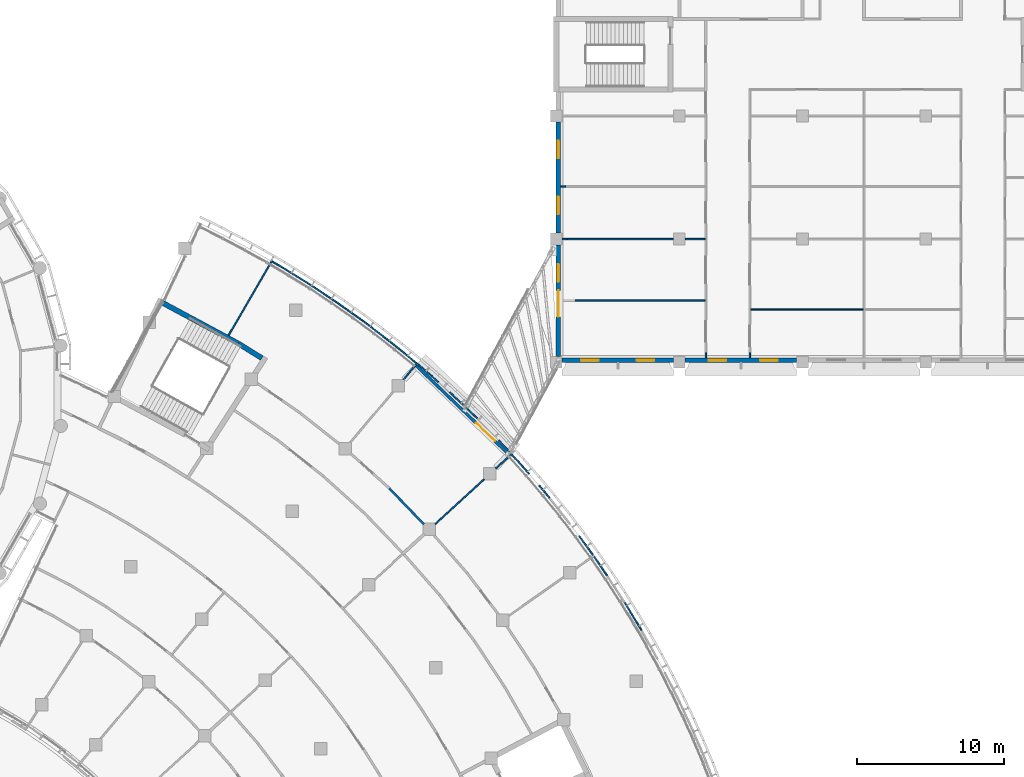
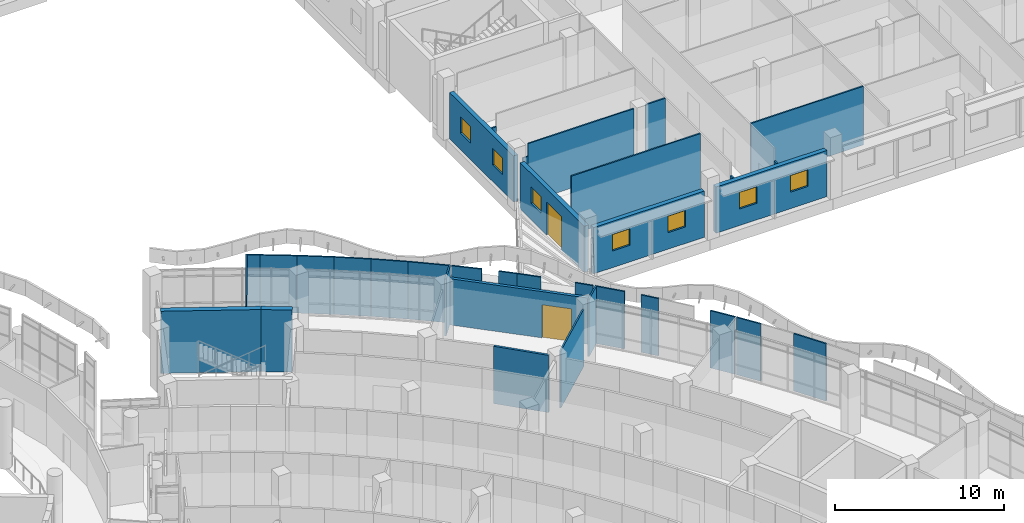
# One storey, part 80 of 136: 35 walls, 7 windows, 2 doors, 9 openings.
"""IFC4 building model written with IfcOpenShell, lengths in metres."""

import ifcopenshell
import ifcopenshell.guid

model = None  # the IFC model being written
_history = None  # IfcOwnerHistory: only IFC2X3 demands one
_inside = {}  # id of a spatial element -> (the spatial element, [elements in it])
_under = {}  # id of a project, library or spatial element -> (it, [spatial elements below it])
_declared = {}  # id of a project -> (the project, [libraries it declares])
_typed = {}  # id of a type object -> (the type object, [elements of that type])
_made_of = {}  # id of a material, layer set ... -> (it, [elements and type objects made of it])


def new_model(schema):
    """Start an empty IFC model of exactly this schema.

    Asked for "IFC4X3", IfcOpenShell would pick the latest addendum, in which some entities
    have other attributes; the version numbers below select the first issue.
    IFC2X3 requires an IfcOwnerHistory on every rooted entity: one is made here for all.
    """
    global model, _history
    if schema == "IFC4X3":
        model = ifcopenshell.file(schema_version=(4, 3, 0, 0))
    else:
        model = ifcopenshell.file(schema=schema)
    _inside.clear()
    _under.clear()
    _declared.clear()
    _typed.clear()
    _made_of.clear()
    _history = None
    if model.schema == "IFC2X3":
        org = make("IfcOrganization", Name="unknown")
        user = make(
            "IfcPersonAndOrganization",
            ThePerson=make("IfcPerson", FamilyName="unknown"),
            TheOrganization=org,
        )
        app = make(
            "IfcApplication",
            ApplicationDeveloper=org,
            Version="unknown",
            ApplicationFullName="unknown",
            ApplicationIdentifier="unknown",
        )
        _history = make(
            "IfcOwnerHistory",
            OwningUser=user,
            OwningApplication=app,
            ChangeAction="ADDED",
            CreationDate=0,
        )
    return model


def make(cls, **values):
    """One entity of the class cls with the attributes given. An attribute that is None is left unset."""
    return model.create_entity(
        cls, **{name: value for name, value in values.items() if value is not None}
    )


def rooted(cls, **values):
    """An entity with a GlobalId (a new one), such as an element, a storey or a relation."""
    return make(cls, GlobalId=ifcopenshell.guid.new(), OwnerHistory=_history, **values)


def si_unit(unit_type, name, prefix=None):
    """IfcSIUnit, for example si_unit("LENGTHUNIT", "METRE", prefix="MILLI")."""
    return make("IfcSIUnit", UnitType=unit_type, Prefix=prefix, Name=name)


def assignment(units):
    """IfcUnitAssignment: the units of a project."""
    return None if units is None else make("IfcUnitAssignment", Units=units)


def point(xyz):
    """IfcCartesianPoint."""
    return None if xyz is None else make("IfcCartesianPoint", Coordinates=xyz)


def direction(xyz):
    """IfcDirection."""
    return None if xyz is None else make("IfcDirection", DirectionRatios=xyz)


def frame(location, z_axis=None, x_axis=None):
    """IfcAxis2Placement3D, a coordinate frame: its origin and axes. An axis left out is left unset."""
    return make(
        "IfcAxis2Placement3D",
        Location=point(location),
        Axis=direction(z_axis),
        RefDirection=direction(x_axis),
    )


def frame_2d(location, x_axis=None):
    """IfcAxis2Placement2D, a coordinate frame in the plane: its origin and x axis."""
    return make(
        "IfcAxis2Placement2D", Location=point(location), RefDirection=direction(x_axis)
    )


def origin():
    """The frame at (0, 0, 0) with its axes left unset."""
    return frame((0.0, 0.0, 0.0))


def place(relative_to, where):
    """IfcLocalPlacement: puts the frame where relative to a parent placement (None: the world)."""
    return make(
        "IfcLocalPlacement", PlacementRelTo=relative_to, RelativePlacement=where
    )


def context(
    kind, dimensions, precision=None, world=None, true_north=None, identifier=None
):
    """IfcGeometricRepresentationContext, for example the 3D "Model" context."""
    return make(
        "IfcGeometricRepresentationContext",
        ContextIdentifier=identifier,
        ContextType=kind,
        CoordinateSpaceDimension=dimensions,
        Precision=precision,
        WorldCoordinateSystem=world,
        TrueNorth=true_north,
    )


def subcontext(parent, identifier, kind, view, scale=None):
    """IfcGeometricRepresentationSubContext, for example "Body" below "Model"."""
    return make(
        "IfcGeometricRepresentationSubContext",
        ContextIdentifier=identifier,
        ContextType=kind,
        ParentContext=parent,
        TargetScale=scale,
        TargetView=view,
    )


def project(units=None, contexts=None):
    """IfcProject with its units and contexts."""
    return rooted(
        "IfcProject",
        Name="project",
        RepresentationContexts=contexts,
        UnitsInContext=assignment(units),
    )


def spatial(cls, under=None, at=None, **own):
    """A site, building, storey or space (cls), placed at a placement, below another one or the project."""
    s = rooted(cls, ObjectPlacement=at, **own)
    if under is not None:
        _under.setdefault(under.id(), (under, []))[1].append(s)
    return s


def profile(cls, at=None, kind="AREA", **sizes):
    """A parametric profile (cls). Its sizes go by their IFC names, for example OverallWidth=200.0."""
    return make(cls, ProfileType=kind, Position=at, **sizes)


def rectangle(**sizes):
    """IfcRectangleProfileDef."""
    return profile("IfcRectangleProfileDef", **sizes)


def extrude(swept, where, along, depth):
    """IfcExtrudedAreaSolid: the profile swept, set in the frame where, extruded along a direction by depth."""
    return make(
        "IfcExtrudedAreaSolid",
        SweptArea=swept,
        Position=where,
        ExtrudedDirection=direction(along),
        Depth=depth,
    )


def shape(context_of_items, identifier, shape_type, items):
    """IfcShapeRepresentation: the items that make up one representation, for example the "Body"."""
    return make(
        "IfcShapeRepresentation",
        ContextOfItems=context_of_items,
        RepresentationIdentifier=identifier,
        RepresentationType=shape_type,
        Items=items,
    )


def material(Name=None, Category=None):
    """IfcMaterial."""
    return make("IfcMaterial", Name=Name, Category=Category)


def layer(
    of_material, thickness, ventilated=None, Name=None, Category=None, Priority=None
):
    """IfcMaterialLayer: one layer of a wall or slab, of a material (None: an air gap)."""
    return make(
        "IfcMaterialLayer",
        Material=of_material,
        LayerThickness=thickness,
        IsVentilated=ventilated,
        Name=Name,
        Category=Category,
        Priority=Priority,
    )


def layer_set(layers, Name=None):
    """IfcMaterialLayerSet."""
    return make("IfcMaterialLayerSet", MaterialLayers=layers, LayerSetName=Name)


def made_of(thing, what):
    """Note that an element or type object is made of a material, layer set ...; save() writes the relation."""
    if what is not None:
        _made_of.setdefault(what.id(), (what, []))[1].append(thing)
    return thing


def type_object(cls, material=None, **own):
    """A type object (cls), such as IfcWallType, which elements share."""
    return made_of(rooted(cls, **own), material)


def element(
    cls,
    number,
    at=None,
    inside=None,
    cuts=None,
    type_object=None,
    material=None,
    context=None,
    identifier="Body",
    shape_type=None,
    held_by="IfcProductDefinitionShape",
    body=None,
    shapes=None,
    **own,
):
    """One element of the class cls, such as IfcWall. Its Tag is "e" and its number.

    at: its placement. inside: the storey or other place that contains it. cuts: it is an
    opening in that element (IfcRelVoidsElement). A single representation is given by context,
    identifier, shape_type and body (its items); several are given by shapes. held_by: the class
    of the entity that holds the representations. save() writes the other relations.
    """
    e = rooted(cls, Tag="e%d" % number, ObjectPlacement=at, **own)
    if body is not None:
        shapes = [shape(context, identifier, shape_type, body)]
    if shapes is not None:
        e.Representation = make(held_by, Representations=shapes)
    if inside is not None:
        _inside.setdefault(inside.id(), (inside, []))[1].append(e)
    if cuts is not None:
        rooted(
            "IfcRelVoidsElement", RelatingBuildingElement=cuts, RelatedOpeningElement=e
        )
    if type_object is not None:
        _typed.setdefault(type_object.id(), (type_object, []))[1].append(e)
    return made_of(e, material)


def fill(opening, filler):
    """IfcRelFillsElement: the door or window that sits in an opening."""
    return rooted(
        "IfcRelFillsElement",
        RelatingOpeningElement=opening,
        RelatedBuildingElement=filler,
    )


def aggregate(whole, parts):
    """IfcRelAggregates: a whole, such as a stair, and the parts it consists of."""
    return rooted("IfcRelAggregates", RelatingObject=whole, RelatedObjects=parts)


def save(model, path):
    """Write the relations noted so far, then the file.

    IfcRelAggregates (storeys below a building ...), IfcRelContainedInSpatialStructure (elements
    in a storey), IfcRelDefinesByType, IfcRelAssociatesMaterial and IfcRelDeclares: one each for
    every whole, place, type object, material and project.
    """
    for whole, parts in _under.values():
        aggregate(whole, parts)
    for where, things in _inside.values():
        rooted(
            "IfcRelContainedInSpatialStructure",
            RelatedElements=things,
            RelatingStructure=where,
        )
    for kind, things in _typed.values():
        rooted("IfcRelDefinesByType", RelatedObjects=things, RelatingType=kind)
    for what, things in _made_of.values():
        rooted("IfcRelAssociatesMaterial", RelatedObjects=things, RelatingMaterial=what)
    for by, libraries in _declared.values():
        rooted("IfcRelDeclares", RelatingContext=by, RelatedDefinitions=libraries)
    model.write(path)


model = new_model("IFC4")

# Units and contexts
model_context = context("Model", 3, precision=1e-05, world=origin(), true_north=direction((0.0, 1.0)))
body_context = subcontext(model_context, "Body", "Model", "MODEL_VIEW")
ifc_project = project(units=[si_unit("LENGTHUNIT", "METRE"), si_unit("AREAUNIT", "SQUARE_METRE"), si_unit("VOLUMEUNIT", "CUBIC_METRE"), si_unit("PLANEANGLEUNIT", "RADIAN"), si_unit("MASSUNIT", "GRAM", prefix="KILO")], contexts=[model_context])

# Site, building, storey
site_placement = place(None, origin())
site = spatial("IfcSite", under=ifc_project, at=site_placement, CompositionType="ELEMENT")
building_placement = place(site_placement, origin())
building = spatial("IfcBuilding", under=site, at=building_placement, Name="Bougainvillea Quay General Hospital", CompositionType="ELEMENT")
storey_placement = place(building_placement, frame((0.0, 0.0, 5.39990234375)))
storey = spatial("IfcBuildingStorey", under=building, at=storey_placement, Name="L01", CompositionType="ELEMENT", Elevation=5.39990234375)

# Wall, opening, door
ifc_material_1 = material(Name="Insulated aluminium panel cladding, anodised silver", Category="aluminium")
ifc_layer_1 = layer(ifc_material_1, 0.199951171875)
ifc_layer_set_1 = layer_set([ifc_layer_1], Name="Insulated aluminium panel cladding, anodised silver")
wall_type_1 = type_object("IfcWallType", Name="Entrance portal wall 200", PredefinedType="STANDARD", material=ifc_layer_set_1)
wall_1_placement = place(storey_placement, frame((154.218994140625, 75.406982421875, 0.0), z_axis=(0.0, 0.0, 1.0), x_axis=(0.722012767273, -0.691879732248, 0.0)))
wall_1 = element("IfcWall", 1, at=wall_1_placement, inside=storey, type_object=wall_type_1, Name="External wall wall/V6/L01/p2g3b2/00a", PredefinedType="STANDARD", context=body_context, shape_type="SweptSolid", body=[
    extrude(rectangle(XDim=8.89599609375, YDim=0.199951171875, at=frame_2d((4.447998046875, 0.0))), origin(), (0.0, 0.0, 1.0), 3.35009765625),
])
opening_1_placement = place(wall_1_placement, frame((5.68505859375, 0.0, 0.0)))
opening_1 = element("IfcOpeningElement", 2, at=opening_1_placement, cuts=wall_1, Name="Opening L01.332", PredefinedType="OPENING", context=body_context, shape_type="SweptSolid", body=[
    extrude(rectangle(XDim=1.800048828125, YDim=2.39990234375, at=frame_2d((0.89990234375, 1.199951171875))), frame((0.0, 0.10986328125, 0.0), z_axis=(0.0, -1.0, 0.0), x_axis=(1.0, 0.0, 0.0)), (0.0, 0.0, 1.0), 0.219970703125),
])
ifc_material_2 = material(Name="Aluminium and glass door set", Category="aluminium")
door_type = type_object("IfcDoorType", Name="Link bridge door 1800x2400", OperationType="DOUBLE_DOOR_SINGLE_SWING", PredefinedType="DOOR", material=ifc_material_2)
door_1_placement = place(opening_1_placement, origin())
door_1 = element("IfcDoor", 3, at=door_1_placement, inside=storey, type_object=door_type, Name="Link bridge door B3", OperationType="SINGLE_SWING_LEFT", OverallHeight=2.39990234375, OverallWidth=1.800048828125, PredefinedType="DOOR", context=body_context, shape_type="SweptSolid", body=[
    extrude(rectangle(XDim=1.800048828125, YDim=2.39990234375, at=frame_2d((0.89990234375, 1.199951171875))), frame((0.0, 0.02490234375, 0.0), z_axis=(0.0, -1.0, 0.0), x_axis=(1.0, 0.0, 0.0)), (0.0, 0.0, 1.0), 0.050048828125),
])
fill(opening_1, door_1)

# Wall, openings, windows
ifc_material_3 = material(Name="Pale stone rainscreen cladding on insulated masonry backing, pale stone", Category="masonry")
ifc_layer_2 = layer(ifc_material_3, 0.300048828125)
ifc_layer_set_2 = layer_set([ifc_layer_2], Name="Pale stone rainscreen cladding on insulated masonry backing, pale stone")
wall_type_2 = type_object("IfcWallType", Name="External wall pale stone rainscreen 300", PredefinedType="STANDARD", material=ifc_layer_set_2)
wall_2_placement = place(storey_placement, frame((163.949951171875, 92.0, 0.0), z_axis=(0.0, 0.0, 1.0), x_axis=(0.0, -1.0, 0.0)))
wall_2 = element("IfcWall", 4, at=wall_2_placement, inside=storey, type_object=wall_type_2, Name="External wall wall/V3/L01/p0/00e", PredefinedType="STANDARD", context=body_context, shape_type="SweptSolid", body=[
    extrude(rectangle(XDim=7.60009765625, YDim=0.300048828125, at=frame_2d((3.800048828125, 0.0))), origin(), (0.0, 0.0, 1.0), 3.35009765625),
])
opening_2_placement = place(wall_2_placement, frame((1.300048828125, 0.0, 1.199951171875)))
opening_2 = element("IfcOpeningElement", 5, at=opening_2_placement, cuts=wall_2, Name="Opening W2", PredefinedType="OPENING", context=body_context, shape_type="SweptSolid", body=[
    extrude(rectangle(XDim=1.199951171875, YDim=1.199951171875, at=frame_2d((0.60009765625, 0.60009765625))), frame((0.0, 0.159912109375, 0.0), z_axis=(0.0, -1.0, 0.0), x_axis=(1.0, 0.0, 0.0)), (0.0, 0.0, 1.0), 0.320068359375),
])
opening_3_placement = place(wall_2_placement, frame((5.10009765625, 0.0, 1.199951171875)))
opening_3 = element("IfcOpeningElement", 6, at=opening_3_placement, cuts=wall_2, Name="Opening W2", PredefinedType="OPENING", context=body_context, shape_type="SweptSolid", body=[
    extrude(rectangle(XDim=1.199951171875, YDim=1.199951171875, at=frame_2d((0.60009765625, 0.60009765625))), frame((0.0, 0.159912109375, 0.0), z_axis=(0.0, -1.0, 0.0), x_axis=(1.0, 0.0, 0.0)), (0.0, 0.0, 1.0), 0.320068359375),
])
ifc_material_4 = material(Name="Aluminium window frame with low-e double glazed unit", Category="aluminium")
window_type = type_object("IfcWindowType", Name="Window W2 1200x1200", PartitioningType="SINGLE_PANEL", PredefinedType="WINDOW", material=ifc_material_4)
window_1_placement = place(opening_2_placement, origin())
window_1 = element("IfcWindow", 7, at=window_1_placement, inside=storey, type_object=window_type, Name="Window W2 1", OverallHeight=1.199951171875, OverallWidth=1.199951171875, PartitioningType="SINGLE_PANEL", PredefinedType="WINDOW", context=body_context, shape_type="SweptSolid", body=[
    extrude(rectangle(XDim=1.199951171875, YDim=1.199951171875, at=frame_2d((0.60009765625, 0.60009765625))), frame((0.0, 0.030029296875, 0.0), z_axis=(0.0, -1.0, 0.0), x_axis=(1.0, 0.0, 0.0)), (0.0, 0.0, 1.0), 0.06005859375),
])
fill(opening_2, window_1)
window_2_placement = place(opening_3_placement, origin())
window_2 = element("IfcWindow", 8, at=window_2_placement, inside=storey, type_object=window_type, Name="Window W2 2", OverallHeight=1.199951171875, OverallWidth=1.199951171875, PartitioningType="SINGLE_PANEL", PredefinedType="WINDOW", context=body_context, shape_type="SweptSolid", body=[
    extrude(rectangle(XDim=1.199951171875, YDim=1.199951171875, at=frame_2d((0.60009765625, 0.60009765625))), frame((0.0, 0.030029296875, 0.0), z_axis=(0.0, -1.0, 0.0), x_axis=(1.0, 0.0, 0.0)), (0.0, 0.0, 1.0), 0.06005859375),
])
fill(opening_3, window_2)

# Wall, openings, door, window
wall_3_placement = place(storey_placement, frame((163.949951171875, 83.60009765625, 0.0), z_axis=(0.0, 0.0, 1.0), x_axis=(0.0, -1.0, 0.0)))
wall_3 = element("IfcWall", 9, at=wall_3_placement, inside=storey, type_object=wall_type_2, Name="External wall wall/V3/L01/p0/00f", PredefinedType="STANDARD", context=body_context, shape_type="SweptSolid", body=[
    extrude(rectangle(XDim=7.60009765625, YDim=0.300048828125, at=frame_2d((3.800048828125, 0.0))), origin(), (0.0, 0.0, 1.0), 3.35009765625),
])
opening_4_placement = place(wall_3_placement, frame((3.10009765625, 0.0, 0.0)))
opening_4 = element("IfcOpeningElement", 10, at=opening_4_placement, cuts=wall_3, Name="Opening L01.330", PredefinedType="OPENING", context=body_context, shape_type="SweptSolid", body=[
    extrude(rectangle(XDim=1.800048828125, YDim=2.39990234375, at=frame_2d((0.89990234375, 1.199951171875))), frame((0.0, 0.159912109375, 0.0), z_axis=(0.0, -1.0, 0.0), x_axis=(1.0, 0.0, 0.0)), (0.0, 0.0, 1.0), 0.320068359375),
])
opening_5_placement = place(wall_3_placement, frame((1.300048828125, 0.0, 1.199951171875)))
opening_5 = element("IfcOpeningElement", 11, at=opening_5_placement, cuts=wall_3, Name="Opening W2", PredefinedType="OPENING", context=body_context, shape_type="SweptSolid", body=[
    extrude(rectangle(XDim=1.199951171875, YDim=1.199951171875, at=frame_2d((0.60009765625, 0.60009765625))), frame((0.0, 0.159912109375, 0.0), z_axis=(0.0, -1.0, 0.0), x_axis=(1.0, 0.0, 0.0)), (0.0, 0.0, 1.0), 0.320068359375),
])
door_2_placement = place(opening_4_placement, origin())
door_2 = element("IfcDoor", 12, at=door_2_placement, inside=storey, type_object=door_type, Name="Link bridge door B3", OperationType="SINGLE_SWING_LEFT", OverallHeight=2.39990234375, OverallWidth=1.800048828125, PredefinedType="DOOR", context=body_context, shape_type="SweptSolid", body=[
    extrude(rectangle(XDim=1.800048828125, YDim=2.39990234375, at=frame_2d((0.89990234375, 1.199951171875))), frame((0.0, 0.02490234375, 0.0), z_axis=(0.0, -1.0, 0.0), x_axis=(1.0, 0.0, 0.0)), (0.0, 0.0, 1.0), 0.050048828125),
])
fill(opening_4, door_2)
window_3_placement = place(opening_5_placement, origin())
window_3 = element("IfcWindow", 13, at=window_3_placement, inside=storey, type_object=window_type, Name="Window W2 1", OverallHeight=1.199951171875, OverallWidth=1.199951171875, PartitioningType="SINGLE_PANEL", PredefinedType="WINDOW", context=body_context, shape_type="SweptSolid", body=[
    extrude(rectangle(XDim=1.199951171875, YDim=1.199951171875, at=frame_2d((0.60009765625, 0.60009765625))), frame((0.0, 0.030029296875, 0.0), z_axis=(0.0, -1.0, 0.0), x_axis=(1.0, 0.0, 0.0)), (0.0, 0.0, 1.0), 0.06005859375),
])
fill(opening_5, window_3)

# Wall, openings, windows
wall_4_placement = place(storey_placement, frame((164.199951171875, 75.75, 0.0), z_axis=(0.0, 0.0, 1.0), x_axis=(1.0, 0.0, 0.0)))
wall_4 = element("IfcWall", 14, at=wall_4_placement, inside=storey, type_object=wall_type_2, Name="External wall wall/V3/L01/p0/01a", PredefinedType="STANDARD", context=body_context, shape_type="SweptSolid", body=[
    extrude(rectangle(XDim=7.60009765625, YDim=0.300048828125, at=frame_2d((3.800048828125, 0.0))), origin(), (0.0, 0.0, 1.0), 3.35009765625),
])
opening_6_placement = place(wall_4_placement, frame((1.300048828125, 0.0, 1.199951171875)))
opening_6 = element("IfcOpeningElement", 15, at=opening_6_placement, cuts=wall_4, Name="Opening W2", PredefinedType="OPENING", context=body_context, shape_type="SweptSolid", body=[
    extrude(rectangle(XDim=1.199951171875, YDim=1.199951171875, at=frame_2d((0.60009765625, 0.60009765625))), frame((0.0, 0.159912109375, 0.0), z_axis=(0.0, -1.0, 0.0), x_axis=(1.0, 0.0, 0.0)), (0.0, 0.0, 1.0), 0.320068359375),
])
opening_7_placement = place(wall_4_placement, frame((5.10009765625, 0.0, 1.199951171875)))
opening_7 = element("IfcOpeningElement", 16, at=opening_7_placement, cuts=wall_4, Name="Opening W2", PredefinedType="OPENING", context=body_context, shape_type="SweptSolid", body=[
    extrude(rectangle(XDim=1.199951171875, YDim=1.199951171875, at=frame_2d((0.60009765625, 0.60009765625))), frame((0.0, 0.159912109375, 0.0), z_axis=(0.0, -1.0, 0.0), x_axis=(1.0, 0.0, 0.0)), (0.0, 0.0, 1.0), 0.320068359375),
])
window_4_placement = place(opening_6_placement, origin())
window_4 = element("IfcWindow", 17, at=window_4_placement, inside=storey, type_object=window_type, Name="Window W2 1", OverallHeight=1.199951171875, OverallWidth=1.199951171875, PartitioningType="SINGLE_PANEL", PredefinedType="WINDOW", context=body_context, shape_type="SweptSolid", body=[
    extrude(rectangle(XDim=1.199951171875, YDim=1.199951171875, at=frame_2d((0.60009765625, 0.60009765625))), frame((0.0, 0.030029296875, 0.0), z_axis=(0.0, -1.0, 0.0), x_axis=(1.0, 0.0, 0.0)), (0.0, 0.0, 1.0), 0.06005859375),
])
fill(opening_6, window_4)
window_5_placement = place(opening_7_placement, origin())
window_5 = element("IfcWindow", 18, at=window_5_placement, inside=storey, type_object=window_type, Name="Window W2 2", OverallHeight=1.199951171875, OverallWidth=1.199951171875, PartitioningType="SINGLE_PANEL", PredefinedType="WINDOW", context=body_context, shape_type="SweptSolid", body=[
    extrude(rectangle(XDim=1.199951171875, YDim=1.199951171875, at=frame_2d((0.60009765625, 0.60009765625))), frame((0.0, 0.030029296875, 0.0), z_axis=(0.0, -1.0, 0.0), x_axis=(1.0, 0.0, 0.0)), (0.0, 0.0, 1.0), 0.06005859375),
])
fill(opening_7, window_5)

wall_5_placement = place(storey_placement, frame((172.60009765625, 75.75, 0.0), z_axis=(0.0, 0.0, 1.0), x_axis=(1.0, 0.0, 0.0)))
wall_5 = element("IfcWall", 19, at=wall_5_placement, inside=storey, type_object=wall_type_2, Name="External wall wall/V3/L01/p0/01b", PredefinedType="STANDARD", context=body_context, shape_type="SweptSolid", body=[
    extrude(rectangle(XDim=7.599853515625, YDim=0.300048828125, at=frame_2d((3.7998046875, 0.0))), origin(), (0.0, 0.0, 1.0), 3.35009765625),
])
opening_8_placement = place(wall_5_placement, frame((1.60009765625, 0.0, 1.199951171875)))
opening_8 = element("IfcOpeningElement", 20, at=opening_8_placement, cuts=wall_5, Name="Opening W2", PredefinedType="OPENING", context=body_context, shape_type="SweptSolid", body=[
    extrude(rectangle(XDim=1.199951171875, YDim=1.199951171875, at=frame_2d((0.60009765625, 0.60009765625))), frame((0.0, 0.159912109375, 0.0), z_axis=(0.0, -1.0, 0.0), x_axis=(1.0, 0.0, 0.0)), (0.0, 0.0, 1.0), 0.320068359375),
])
opening_9_placement = place(wall_5_placement, frame((5.10009765625, 0.0, 1.199951171875)))
opening_9 = element("IfcOpeningElement", 21, at=opening_9_placement, cuts=wall_5, Name="Opening W2", PredefinedType="OPENING", context=body_context, shape_type="SweptSolid", body=[
    extrude(rectangle(XDim=1.199951171875, YDim=1.199951171875, at=frame_2d((0.60009765625, 0.60009765625))), frame((0.0, 0.159912109375, 0.0), z_axis=(0.0, -1.0, 0.0), x_axis=(1.0, 0.0, 0.0)), (0.0, 0.0, 1.0), 0.320068359375),
])
window_6_placement = place(opening_8_placement, origin())
window_6 = element("IfcWindow", 22, at=window_6_placement, inside=storey, type_object=window_type, Name="Window W2 1", OverallHeight=1.199951171875, OverallWidth=1.199951171875, PartitioningType="SINGLE_PANEL", PredefinedType="WINDOW", context=body_context, shape_type="SweptSolid", body=[
    extrude(rectangle(XDim=1.199951171875, YDim=1.199951171875, at=frame_2d((0.60009765625, 0.60009765625))), frame((0.0, 0.030029296875, 0.0), z_axis=(0.0, -1.0, 0.0), x_axis=(1.0, 0.0, 0.0)), (0.0, 0.0, 1.0), 0.06005859375),
])
fill(opening_8, window_6)
window_7_placement = place(opening_9_placement, origin())
window_7 = element("IfcWindow", 23, at=window_7_placement, inside=storey, type_object=window_type, Name="Window W2 2", OverallHeight=1.199951171875, OverallWidth=1.199951171875, PartitioningType="SINGLE_PANEL", PredefinedType="WINDOW", context=body_context, shape_type="SweptSolid", body=[
    extrude(rectangle(XDim=1.199951171875, YDim=1.199951171875, at=frame_2d((0.60009765625, 0.60009765625))), frame((0.0, 0.030029296875, 0.0), z_axis=(0.0, -1.0, 0.0), x_axis=(1.0, 0.0, 0.0)), (0.0, 0.0, 1.0), 0.06005859375),
])
fill(opening_9, window_7)

# Walls
ifc_material_5 = material(Name="Gypsum board partition on steel studs", Category="steel")
ifc_layer_3 = layer(ifc_material_5, 0.10009765625)
ifc_layer_set_3 = layer_set([ifc_layer_3], Name="Gypsum board partition on steel studs")
wall_type_3 = type_object("IfcWallType", Name="Partition 100 Gypsum board partition", PredefinedType="PARTITIONING", material=ifc_layer_set_3)
for number, where, z_axis, x_axis, name in (
    (24, (174.0, 76.25, 0.0), (0.0, 0.0, 1.0), (0.0, -1.0, 0.0), "Partition 100 mm"),
    (25, (177.0, 76.25, 0.0), (0.0, 0.0, 1.0), (0.0, -1.0, 0.0), "Partition 100 mm"),
):
    element("IfcWall", number, at=place(storey_placement, frame(where, z_axis=z_axis, x_axis=x_axis)), inside=storey, type_object=wall_type_3, Name=name, PredefinedType="PARTITIONING", context=body_context, shape_type="SweptSolid", body=[
        extrude(rectangle(XDim=0.35009765625, YDim=0.10009765625, at=frame_2d((0.175048828125, 0.0))), origin(), (0.0, 0.0, 1.0), 3.330078125),
    ])
wall_6_placement = place(storey_placement, frame((177.050048828125, 79.199951171875, 0.0), z_axis=(0.0, 0.0, 1.0), x_axis=(1.0, 0.0, 0.0)))
element("IfcWall", 26, at=wall_6_placement, inside=storey, type_object=wall_type_3, Name="Partition 100 mm", PredefinedType="PARTITIONING", context=body_context, shape_type="SweptSolid", body=[
    extrude(rectangle(XDim=7.699951171875, YDim=0.10009765625, at=frame_2d((3.85009765625, 0.0))), origin(), (0.0, 0.0, 1.0), 4.25),
])
wall_7_placement = place(storey_placement, frame((165.10009765625, 79.800048828125, 0.0), z_axis=(0.0, 0.0, 1.0), x_axis=(1.0, 0.0, 0.0)))
element("IfcWall", 27, at=wall_7_placement, inside=storey, type_object=wall_type_3, Name="Partition 100 mm", PredefinedType="PARTITIONING", context=body_context, shape_type="SweptSolid", body=[
    extrude(rectangle(XDim=8.849853515625, YDim=0.10009765625, at=frame_2d((4.4248046875, 0.0))), origin(), (0.0, 0.0, 1.0), 4.25),
])
wall_8_placement = place(storey_placement, frame((164.199951171875, 84.0, 0.0), z_axis=(0.0, 0.0, 1.0), x_axis=(1.0, 0.0, 0.0)))
element("IfcWall", 28, at=wall_8_placement, inside=storey, type_object=wall_type_3, Name="Partition 100 mm", PredefinedType="PARTITIONING", context=body_context, shape_type="SweptSolid", body=[
    extrude(rectangle(XDim=0.35009765625, YDim=0.10009765625, at=frame_2d((0.175048828125, 0.0))), origin(), (0.0, 0.0, 1.0), 3.330078125),
])
wall_9_placement = place(storey_placement, frame((164.550048828125, 84.0, 0.0), z_axis=(0.0, 0.0, 1.0), x_axis=(1.0, 0.0, 0.0)))
element("IfcWall", 29, at=wall_9_placement, inside=storey, type_object=wall_type_3, Name="Partition 100 mm", PredefinedType="PARTITIONING", context=body_context, shape_type="SweptSolid", body=[
    extrude(rectangle(XDim=7.25, YDim=0.10009765625, at=frame_2d((3.625, 0.0))), origin(), (0.0, 0.0, 1.0), 4.25),
])
wall_10_placement = place(storey_placement, frame((172.60009765625, 84.0, 0.0), z_axis=(0.0, 0.0, 1.0), x_axis=(1.0, 0.0, 0.0)))
element("IfcWall", 30, at=wall_10_placement, inside=storey, type_object=wall_type_3, Name="Partition 100 mm", PredefinedType="PARTITIONING", context=body_context, shape_type="SweptSolid", body=[
    extrude(rectangle(XDim=1.349853515625, YDim=0.10009765625, at=frame_2d((0.6748046875, 0.0))), origin(), (0.0, 0.0, 1.0), 4.25),
])
wall_11_placement = place(storey_placement, frame((164.10009765625, 87.60009765625, 0.0), z_axis=(0.0, 0.0, 1.0), x_axis=(1.0, 0.0, 0.0)))
element("IfcWall", 31, at=wall_11_placement, inside=storey, type_object=wall_type_3, Name="Partition 100 mm", PredefinedType="PARTITIONING", context=body_context, shape_type="SweptSolid", body=[
    extrude(rectangle(XDim=0.349853515625, YDim=0.10009765625, at=frame_2d((0.1748046875, 0.0))), origin(), (0.0, 0.0, 1.0), 3.330078125),
])
ifc_layer_4 = layer(ifc_material_5, 0.10009765625)
ifc_layer_set_4 = layer_set([ifc_layer_4], Name="Gypsum board partition on steel studs")
wall_type_4 = type_object("IfcWallType", Name="Partition 100 Gypsum board partition EI 30", PredefinedType="PARTITIONING", material=ifc_layer_set_4)
wall_12_placement = place(storey_placement, frame((155.55419921875, 64.572021484375, 0.0), z_axis=(0.0, 0.0, 1.0), x_axis=(0.736575972323, 0.676354815904, 0.0)))
element("IfcWall", 32, at=wall_12_placement, inside=storey, type_object=wall_type_4, Name="Partition 100 mm EI 30", PredefinedType="PARTITIONING", context=body_context, shape_type="SweptSolid", body=[
    extrude(rectangle(XDim=4.5244140625, YDim=0.10009765625, at=frame_2d((2.26220703125, 0.0))), origin(), (0.0, 0.0, 1.0), 4.150146484375),
])
wall_13_placement = place(storey_placement, frame((159.679443359375, 68.35986328125, 0.0), z_axis=(0.0, 0.0, 1.0), x_axis=(0.736561228266, 0.676370872388, 0.0)))
element("IfcWall", 33, at=wall_13_placement, inside=storey, type_object=wall_type_4, Name="Partition 100 mm EI 30", PredefinedType="PARTITIONING", context=body_context, shape_type="SweptSolid", body=[
    extrude(rectangle(XDim=1.5048828125, YDim=0.10009765625, at=frame_2d((0.75244140625, 0.0))), origin(), (0.0, 0.0, 1.0), 4.150146484375),
])
wall_14_placement = place(storey_placement, frame((153.384521484375, 74.426513671875, 0.0), z_axis=(0.0, 0.0, 1.0), x_axis=(0.644470679359, 0.764629023414, 0.0)))
element("IfcWall", 34, at=wall_14_placement, inside=storey, type_object=wall_type_4, Name="Partition 100 mm EI 30", PredefinedType="PARTITIONING", context=body_context, shape_type="SweptSolid", body=[
    extrude(rectangle(XDim=1.481201171875, YDim=0.10009765625, at=frame_2d((0.74072265625, 0.0))), origin(), (0.0, 0.0, 1.0), 4.150146484375),
])
wall_15_placement = place(storey_placement, frame((141.461669921875, 77.4365234375, 0.0), z_axis=(0.0, 0.0, 1.0), x_axis=(0.502954842464, 0.864312690201, 0.0)))
element("IfcWall", 35, at=wall_15_placement, inside=storey, type_object=wall_type_4, Name="Partition 100 mm EI 30", PredefinedType="PARTITIONING", context=body_context, shape_type="SweptSolid", body=[
    extrude(rectangle(XDim=5.900146484375, YDim=0.10009765625, at=frame_2d((2.9501953125, 0.0))), origin(), (0.0, 0.0, 1.0), 4.150146484375),
])
wall_16_placement = place(storey_placement, frame((159.872314453125, 70.26806640625, 0.0), z_axis=(0.0, 0.0, 1.0), x_axis=(0.689035395113, -0.724727689743, 0.0)))
element("IfcWall", 36, at=wall_16_placement, inside=storey, type_object=wall_type_4, Name="Partition 100 mm EI 30", PredefinedType="PARTITIONING", context=body_context, shape_type="SweptSolid", body=[
    extrude(rectangle(XDim=1.121826171875, YDim=0.10009765625, at=frame_2d((0.56103515625, 0.0))), origin(), (0.0, 0.0, 1.0), 4.150146484375),
])
wall_17_placement = place(storey_placement, frame((152.358154296875, 77.109619140625, 0.0), z_axis=(0.0, 0.0, 1.0), x_axis=(0.775073195, -0.63187146034, 0.0)))
element("IfcWall", 37, at=wall_17_placement, inside=storey, type_object=wall_type_4, Name="Partition 100 mm EI 30", PredefinedType="PARTITIONING", context=body_context, shape_type="SweptSolid", body=[
    extrude(rectangle(XDim=2.463623046875, YDim=0.10009765625, at=frame_2d((1.23193359375, 0.0))), origin(), (0.0, 0.0, 1.0), 4.150146484375),
])
wall_18_placement = place(storey_placement, frame((168.482177734375, 59.212890625, 0.0), z_axis=(0.0, 0.0, 1.0), x_axis=(0.517604223091, -0.855620165867, 0.0)))
element("IfcWall", 38, at=wall_18_placement, inside=storey, type_object=wall_type_4, Name="Partition 100 mm EI 30", PredefinedType="PARTITIONING", context=body_context, shape_type="SweptSolid", body=[
    extrude(rectangle(XDim=2.20361328125, YDim=0.10009765625, at=frame_2d((1.101806640625, 0.0))), origin(), (0.0, 0.0, 1.0), 4.150146484375),
])
wall_19_placement = place(storey_placement, frame((150.604248046875, 78.439208984375, 0.0), z_axis=(0.0, 0.0, 1.0), x_axis=(0.796407759557, -0.604760018948, 0.0)))
element("IfcWall", 39, at=wall_19_placement, inside=storey, type_object=wall_type_4, Name="Partition 100 mm EI 30", PredefinedType="PARTITIONING", context=body_context, shape_type="SweptSolid", body=[
    extrude(rectangle(XDim=2.20263671875, YDim=0.10009765625, at=frame_2d((1.101318359375, 0.0))), origin(), (0.0, 0.0, 1.0), 4.150146484375),
])
wall_20_placement = place(storey_placement, frame((157.354248046875, 72.800048828125, 0.0), z_axis=(0.0, 0.0, 1.0), x_axis=(0.714307654924, -0.699831818451, 0.0)))
element("IfcWall", 40, at=wall_20_placement, inside=storey, type_object=wall_type_4, Name="Partition 100 mm EI 30", PredefinedType="PARTITIONING", context=body_context, shape_type="SweptSolid", body=[
    extrude(rectangle(XDim=1.46728515625, YDim=0.10009765625, at=frame_2d((0.733642578125, 0.0))), origin(), (0.0, 0.0, 1.0), 4.150146484375),
])
wall_21_placement = place(storey_placement, frame((148.810302734375, 79.712890625, 0.0), z_axis=(0.0, 0.0, 1.0), x_axis=(0.814952996863, -0.579527059682, 0.0)))
element("IfcWall", 41, at=wall_21_placement, inside=storey, type_object=wall_type_4, Name="Partition 100 mm EI 30", PredefinedType="PARTITIONING", context=body_context, shape_type="SweptSolid", body=[
    extrude(rectangle(XDim=2.20166015625, YDim=0.10009765625, at=frame_2d((1.100830078125, 0.0))), origin(), (0.0, 0.0, 1.0), 4.150146484375),
])
for number, where, z_axis, x_axis, name in (
    (42, (146.977294921875, 80.9296875, 0.0), (0.0, 0.0, 1.0), (0.832715069348, -0.55370173675, 0.0), "Partition 100 mm EI 30"),
    (43, (145.107421875, 82.08837890625, 0.0), (0.0, 0.0, 1.0), (0.849645306831, -0.527354579557, 0.0), "Partition 100 mm EI 30"),
):
    element("IfcWall", number, at=place(storey_placement, frame(where, z_axis=z_axis, x_axis=x_axis)), inside=storey, type_object=wall_type_4, Name=name, PredefinedType="PARTITIONING", context=body_context, shape_type="SweptSolid", body=[
        extrude(rectangle(XDim=2.201416015625, YDim=0.10009765625, at=frame_2d((1.1005859375, 0.0))), origin(), (0.0, 0.0, 1.0), 4.150146484375),
    ])
wall_22_placement = place(storey_placement, frame((154.39208984375, 75.447509765625, 0.0), z_axis=(0.0, 0.0, 1.0), x_axis=(0.756347055519, -0.654170567672, 0.0)))
element("IfcWall", 44, at=wall_22_placement, inside=storey, type_object=wall_type_4, Name="Partition 100 mm EI 30", PredefinedType="PARTITIONING", context=body_context, shape_type="SweptSolid", body=[
    extrude(rectangle(XDim=1.822998046875, YDim=0.10009765625, at=frame_2d((0.91162109375, 0.0))), origin(), (0.0, 0.0, 1.0), 4.150146484375),
])
wall_23_placement = place(storey_placement, frame((160.784912109375, 69.306396484375, 0.0), z_axis=(0.0, 0.0, 1.0), x_axis=(0.66751043351, -0.744600443967, 0.0)))
element("IfcWall", 45, at=wall_23_placement, inside=storey, type_object=wall_type_4, Name="Partition 100 mm EI 30", PredefinedType="PARTITIONING", context=body_context, shape_type="SweptSolid", body=[
    extrude(rectangle(XDim=1.75439453125, YDim=0.10009765625, at=frame_2d((0.877197265625, 0.0))), origin(), (0.0, 0.0, 1.0), 4.150146484375),
])
wall_24_placement = place(storey_placement, frame((166.384765625, 62.35546875, 0.0), z_axis=(0.0, 0.0, 1.0), x_axis=(0.568646920536, -0.822581716163, 0.0)))
element("IfcWall", 46, at=wall_24_placement, inside=storey, type_object=wall_type_4, Name="Partition 100 mm EI 30", PredefinedType="PARTITIONING", context=body_context, shape_type="SweptSolid", body=[
    extrude(rectangle(XDim=1.57861328125, YDim=0.10009765625, at=frame_2d((0.789306640625, 0.0))), origin(), (0.0, 0.0, 1.0), 4.150146484375),
])
wall_25_placement = place(storey_placement, frame((165.375, 63.7548828125, 0.0), z_axis=(0.0, 0.0, 1.0), x_axis=(0.585622227381, -0.810584114573, 0.0)))
element("IfcWall", 47, at=wall_25_placement, inside=storey, type_object=wall_type_4, Name="Partition 100 mm EI 30", PredefinedType="PARTITIONING", context=body_context, shape_type="SweptSolid", body=[
    extrude(rectangle(XDim=1.62451171875, YDim=0.10009765625, at=frame_2d((0.812255859375, 0.0))), origin(), (0.0, 0.0, 1.0), 4.150146484375),
])
wall_26_placement = place(storey_placement, frame((156.535888671875, 73.556884765625, 0.0), z_axis=(0.0, 0.0, 1.0), x_axis=(0.73329195352, -0.679913899624, 0.0)))
element("IfcWall", 48, at=wall_26_placement, inside=storey, type_object=wall_type_4, Name="Partition 100 mm EI 30", PredefinedType="PARTITIONING", context=body_context, shape_type="SweptSolid", body=[
    extrude(rectangle(XDim=1.115966796875, YDim=0.10009765625, at=frame_2d((0.55810546875, 0.0))), origin(), (0.0, 0.0, 1.0), 4.150146484375),
])
wall_27_placement = place(storey_placement, frame((162.637939453125, 67.2041015625, 0.0), z_axis=(0.0, 0.0, 1.0), x_axis=(0.639966938555, -0.768402445049, 0.0)))
element("IfcWall", 49, at=wall_27_placement, inside=storey, type_object=wall_type_4, Name="Partition 100 mm EI 30", PredefinedType="PARTITIONING", context=body_context, shape_type="SweptSolid", body=[
    extrude(rectangle(XDim=1.1044921875, YDim=0.10009765625, at=frame_2d((0.55224609375, 0.0))), origin(), (0.0, 0.0, 1.0), 4.150146484375),
])
wall_28_placement = place(storey_placement, frame((144.447509765625, 82.468017578125, 0.0), z_axis=(0.0, 0.0, 1.0), x_axis=(0.865710995421, -0.50054417628, 0.0)))
element("IfcWall", 50, at=wall_28_placement, inside=storey, type_object=wall_type_4, Name="Partition 100 mm EI 30", PredefinedType="PARTITIONING", context=body_context, shape_type="SweptSolid", body=[
    extrude(rectangle(XDim=0.762939453125, YDim=0.10009765625, at=frame_2d((0.38134765625, 0.0))), origin(), (0.0, 0.0, 1.0), 4.150146484375),
])
ifc_material_6 = material(Name="Gypsum board partition on steel studs, insulated", Category="steel")
ifc_layer_5 = layer(ifc_material_6, 0.14990234375)
ifc_layer_set_5 = layer_set([ifc_layer_5], Name="Gypsum board partition on steel studs, insulated")
wall_type_5 = type_object("IfcWallType", Name="Partition 150 Gypsum board partition EI 30", PredefinedType="PARTITIONING", material=ifc_layer_set_5)
wall_29_placement = place(storey_placement, frame((152.42236328125, 67.002685546875, 0.0), z_axis=(0.0, 0.0, 1.0), x_axis=(0.693269716966, -0.720678221912, 0.0)))
element("IfcWall", 51, at=wall_29_placement, inside=storey, type_object=wall_type_5, Name="Partition 150 mm EI 30", PredefinedType="PARTITIONING", context=body_context, shape_type="SweptSolid", body=[
    extrude(rectangle(XDim=3.393798828125, YDim=0.14990234375, at=frame_2d((1.69677734375, 0.0))), origin(), (0.0, 0.0, 1.0), 4.150146484375),
])
ifc_material_7 = material(Name="Concrete C40", Category="concrete")
ifc_layer_6 = layer(ifc_material_7, 0.35009765625)
ifc_layer_set_6 = layer_set([ifc_layer_6], Name="Concrete C40")
wall_type_6 = type_object("IfcWallType", Name="RC SHEAR WALL 350 C40", PredefinedType="SHEAR", material=ifc_layer_set_6)
wall_30_placement = place(storey_placement, frame((142.14208984375, 76.87060546875, 0.0), z_axis=(0.0, 0.0, 1.0), x_axis=(-0.880979840223, 0.473153802817, 0.0)))
element("IfcWall", 52, at=wall_30_placement, inside=storey, type_object=wall_type_6, Name="Shear wall L01", PredefinedType="SHEAR", context=body_context, shape_type="SweptSolid", body=[
    extrude(rectangle(XDim=5.942138671875, YDim=0.35009765625, at=frame_2d((2.97119140625, 0.0))), origin(), (0.0, 0.0, 1.0), 4.5),
])
wall_31_placement = place(storey_placement, frame((142.15185546875, 76.864990234375, 0.0), z_axis=(0.0, 0.0, 1.0), x_axis=(0.849013462734, -0.528371214296, 0.0)))
element("IfcWall", 53, at=wall_31_placement, inside=storey, type_object=wall_type_6, Name="Shear wall L01", PredefinedType="SHEAR", context=body_context, shape_type="SweptSolid", body=[
    extrude(rectangle(XDim=1.861572265625, YDim=0.35009765625, at=frame_2d((0.9306640625, 0.0))), origin(), (0.0, 0.0, 1.0), 4.5),
])

save(model, "model.ifc")
